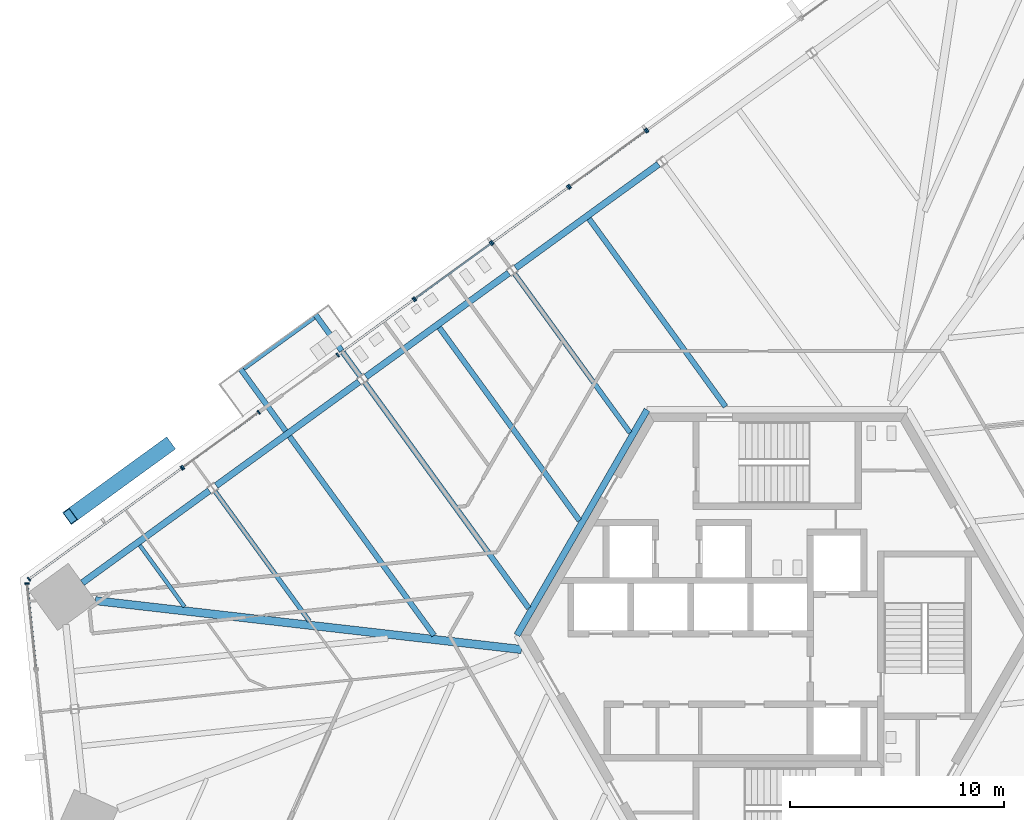
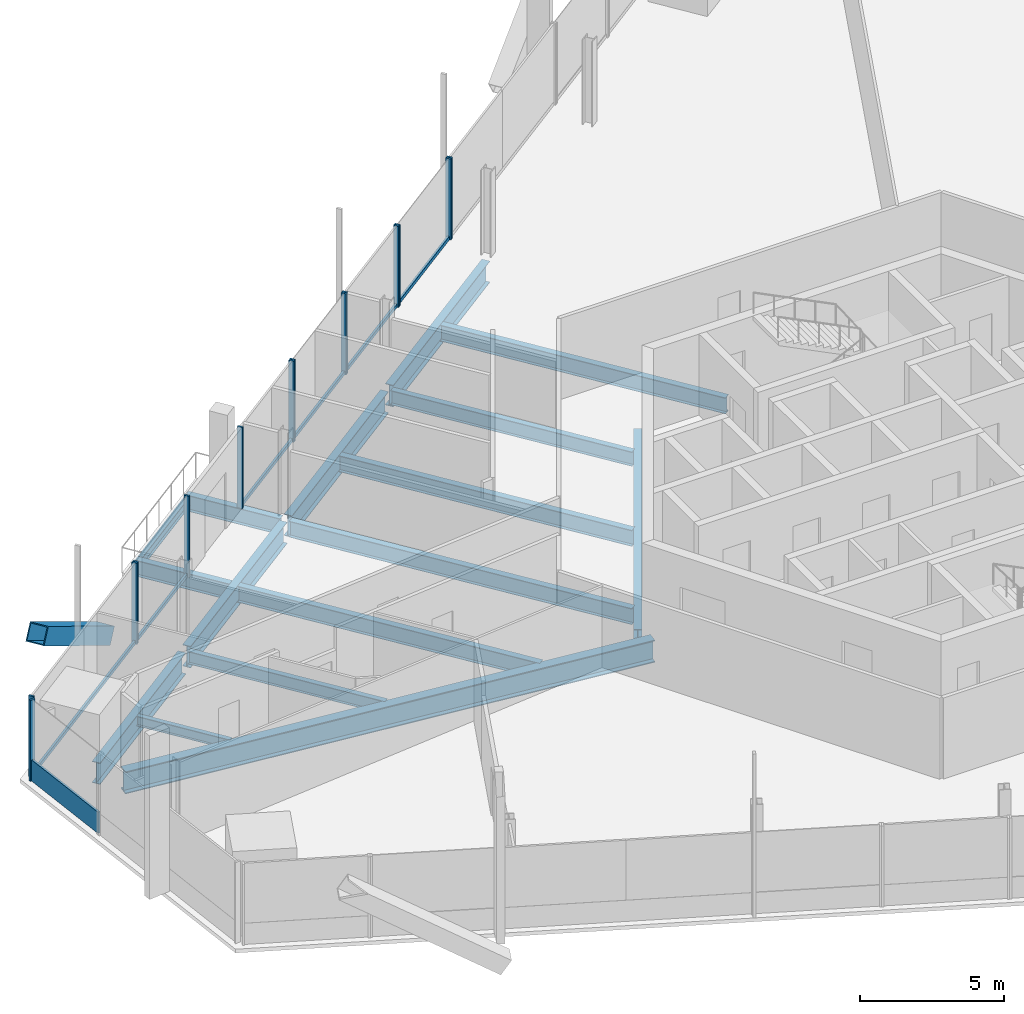
# One storey, part 6 of 21: 22 members, 16 beams, 8 elements without a shape of their own.
"""IFC4 building model written with IfcOpenShell, lengths in metres."""

from ifc_helpers import new_model, si_unit, direction, frame, origin, origin_2d, place, context, subcontext, project, spatial, rectangle, hollow_rectangle, i_section, extrude, source, transform, mapped, material, material_profile, profile_set, type_object, element, aggregate, save


model = new_model("IFC4")

# Units and contexts
model_context = context("Model", 3, precision=1e-05, world=origin(), true_north=direction((0.0, 1.0)))
body_context = subcontext(model_context, "Body", "Model", "MODEL_VIEW")
ifc_project = project(units=[si_unit("LENGTHUNIT", "METRE"), si_unit("AREAUNIT", "SQUARE_METRE"), si_unit("VOLUMEUNIT", "CUBIC_METRE"), si_unit("PLANEANGLEUNIT", "RADIAN"), si_unit("MASSUNIT", "GRAM", prefix="KILO")], contexts=[model_context])

# Site, building, storey
site_placement = place(None, origin())
site = spatial("IfcSite", under=ifc_project, at=site_placement, CompositionType="ELEMENT")
building_placement = place(site_placement, origin())
building = spatial("IfcBuilding", under=site, at=building_placement, Name="Triune Harvest Tower", CompositionType="ELEMENT")
storey_placement = place(building_placement, frame((0.0, 0.0, 87.300048828125)))
storey = spatial("IfcBuildingStorey", under=building, at=storey_placement, Name="L21", CompositionType="ELEMENT", Elevation=87.300048828125)

# Curtain wall, member
ifc_material_1 = material(Name="Aluminium bronze anodised", Category="aluminium")
curtain_wall_type_1 = type_object("IfcCurtainWallType", Name="CW-10 Balcony window wall with insulated spandrel infill", PredefinedType="NOTDEFINED", material=ifc_material_1)
curtain_wall_1_placement = place(storey_placement, origin())
curtain_wall_1 = element("IfcCurtainWall", 1, at=curtain_wall_1_placement, inside=storey, type_object=curtain_wall_type_1, Name="CW-10 B2-F3 L21 run 4001")
ifc_material_2 = material(Name="Aluminium bronze anodised", Category="aluminium")
ifc_material_profile_1 = material_profile(ifc_material_2, rectangle(XDim=0.090087890625, YDim=0.14990234375, at=origin_2d()), Name="TR-6 transom 90 x 150")
ifc_profile_set_1 = profile_set([ifc_material_profile_1], Name="Aluminium bronze anodised")
member_type_1 = type_object("IfcMemberType", Name="TR-6 transom 90 x 150", PredefinedType="USERDEFINED", material=ifc_profile_set_1)
member_1_placement = place(storey_placement, frame((-9.800537109375, 20.935546875, 0.074951171875), z_axis=(-0.809007003664, -0.587799003081, 0.0), x_axis=(0.587799003081, -0.809007003664, 0.0)))
member_1 = element("IfcMember", 2, at=member_1_placement, type_object=member_type_1, Name="CW-10 transom B2-F3 4001.1", ObjectType="TRANSOM", PredefinedType="USERDEFINED", context=body_context, shape_type="SweptSolid", body=[
    extrude(rectangle(XDim=0.090087890625, YDim=0.14990234375, at=origin_2d()), origin(), (0.0, 0.0, 1.0), 4.32421875),
])

ifc_material_3 = material(Name="Aluminium bronze anodised", Category="aluminium")
curtain_wall_type_2 = type_object("IfcCurtainWallType", Name="CW-6 Balcony window wall", PredefinedType="NOTDEFINED", material=ifc_material_3)
curtain_wall_2_placement = place(storey_placement, origin())
curtain_wall_2 = element("IfcCurtainWall", 3, at=curtain_wall_2_placement, inside=storey, type_object=curtain_wall_type_2, Name="CW-6 B2-F3 L21 run 2")
member_2_placement = place(storey_placement, frame((-24.288818359375, 10.4091796875, 0.074951171875), z_axis=(-0.809005729652, -0.587800756541, 0.0), x_axis=(0.587800756541, -0.809005729652, 0.0)))
member_2 = element("IfcMember", 4, at=member_2_placement, type_object=member_type_1, Name="CW-6 transom B2-F3 2.1", ObjectType="TRANSOM", PredefinedType="USERDEFINED", context=body_context, shape_type="SweptSolid", body=[
    extrude(rectangle(XDim=0.090087890625, YDim=0.14990234375, at=origin_2d()), origin(), (0.0, 0.0, 1.0), 4.305419921875),
])

curtain_wall_3_placement = place(storey_placement, origin())
curtain_wall_3 = element("IfcCurtainWall", 5, at=curtain_wall_3_placement, inside=storey, type_object=curtain_wall_type_1, Name="CW-10 B2-F3 L21 run 1002")
member_3_placement = place(storey_placement, frame((-27.893310546875, 7.790283203125, 0.074951171875), z_axis=(-0.809016764771, -0.587785568315, 0.0), x_axis=(0.587785568315, -0.809016764771, 0.0)))
member_3 = element("IfcMember", 6, at=member_3_placement, type_object=member_type_1, Name="CW-10 transom B2-F3 1002.1", ObjectType="TRANSOM", PredefinedType="USERDEFINED", context=body_context, shape_type="SweptSolid", body=[
    extrude(rectangle(XDim=0.090087890625, YDim=0.14990234375, at=origin_2d()), origin(), (0.0, 0.0, 1.0), 8.76123046875),
])

# Beams
ifc_material_4 = material(Name="Steel ASTM A992 Gr 50", Category="steel")
ifc_material_profile_2 = material_profile(ifc_material_4, i_section(OverallWidth=0.3046875, OverallDepth=0.914306640625, WebThickness=0.0166015625, FlangeThickness=0.02587890625, at=origin_2d()), Name="W36x160")
ifc_profile_set_2 = profile_set([ifc_material_profile_2], Name="Steel ASTM A992 Gr 50")
beam_type_1 = type_object("IfcBeamType", Name="CG-1 Core ring girder W36x160", PredefinedType="BEAM", material=ifc_profile_set_2)
shared_shape_1 = source(origin(), body_context, "Body", "SweptSolid", [
    extrude(i_section(OverallWidth=0.3046875, OverallDepth=0.914306640625, WebThickness=0.0166015625, FlangeThickness=0.02587890625, at=origin_2d()), origin(), (0.0, 0.0, 1.0), 12.176025390625),
])
beam_1_placement = place(storey_placement, frame((-6.087890625, 10.544677734375, -0.6171875), z_axis=(-0.5000099932, -0.866019634131, 0.0), x_axis=(0.866019634131, -0.5000099932, 0.0)))
element("IfcBeam", 7, at=beam_1_placement, inside=storey, type_object=beam_type_1, Name="beam/L21/CG3", PredefinedType="BEAM", context=body_context, shape_type="MappedRepresentation", body=[
    mapped(shared_shape_1, transform((0.0, 0.0, 0.0), scale=1.0)),
])
ifc_material_5 = material(Name="Steel ASTM A992 Gr 50", Category="steel")
ifc_material_profile_3 = material_profile(ifc_material_5, i_section(OverallWidth=0.3046875, OverallDepth=0.914306640625, WebThickness=0.0166015625, FlangeThickness=0.02587890625, at=origin_2d()), Name="W36x160")
ifc_profile_set_3 = profile_set([ifc_material_profile_3], Name="Steel ASTM A992 Gr 50")
beam_type_2 = type_object("IfcBeamType", Name="SB-1 Spandrel beam W36x160", PredefinedType="SPANDREL", material=ifc_profile_set_3)
shared_shape_2 = source(origin(), body_context, "Body", "SweptSolid", [
    extrude(i_section(OverallWidth=0.3046875, OverallDepth=0.914306640625, WebThickness=0.0166015625, FlangeThickness=0.02587890625, at=origin_2d()), origin(), (0.0, 0.0, 1.0), 7.337890625),
])
beam_2_placement = place(storey_placement, frame((-26.574951171875, 6.763916015625, -0.6171875), z_axis=(-0.80902661548, -0.58777200975, 0.0), x_axis=(0.58777200975, -0.80902661548, 0.0)))
element("IfcBeam", 8, at=beam_2_placement, inside=storey, type_object=beam_type_2, Name="beam/L21/SB14", PredefinedType="SPANDREL", context=body_context, shape_type="MappedRepresentation", body=[
    mapped(shared_shape_2, transform((0.0, 0.0, 0.0), scale=1.0)),
])
shared_shape_3 = source(origin(), body_context, "Body", "SweptSolid", [
    extrude(i_section(OverallWidth=0.3046875, OverallDepth=0.914306640625, WebThickness=0.0166015625, FlangeThickness=0.02587890625, at=origin_2d()), origin(), (0.0, 0.0, 1.0), 8.263427734375),
])
for number, where, z_axis, x_axis, name in (
    (9, (-5.55126953125, 22.03857421875, -0.6171875), (-0.809015786763, -0.587786914424, 0.0), (0.587786914424, -0.809015786763, 0.0), "beam/L21/SB11"),
    (10, (-12.55908203125, 16.947021484375, -0.6171875), (-0.809015786763, -0.587786914424, 0.0), (0.587786914424, -0.809015786763, 0.0), "beam/L21/SB12"),
    (11, (-19.56689453125, 11.85546875, -0.6171875), (-0.809015786763, -0.587786914424, 0.0), (0.587786914424, -0.809015786763, 0.0), "beam/L21/SB13"),
):
    element("IfcBeam", number, at=place(storey_placement, frame(where, z_axis=z_axis, x_axis=x_axis)), inside=storey, type_object=beam_type_2, Name=name, PredefinedType="SPANDREL", context=body_context, shape_type="MappedRepresentation", body=[
        mapped(shared_shape_3, transform((0.0, 0.0, 0.0), scale=1.0)),
    ])
ifc_material_6 = material(Name="Steel ASTM A992 Gr 50", Category="steel")
ifc_material_profile_4 = material_profile(ifc_material_6, i_section(OverallWidth=0.383544921875, OverallDepth=0.9423828125, WebThickness=0.022216796875, FlangeThickness=0.039794921875, at=origin_2d()), Name="W36x232")
ifc_profile_set_4 = profile_set([ifc_material_profile_4], Name="Steel ASTM A992 Gr 50")
beam_type_3 = type_object("IfcBeamType", Name="HG-1 Hip girder W36x232", PredefinedType="BEAM", material=ifc_profile_set_4)
shared_shape_4 = source(origin(), body_context, "Body", "SweptSolid", [
    extrude(i_section(OverallWidth=0.383544921875, OverallDepth=0.9423828125, WebThickness=0.022216796875, FlangeThickness=0.039794921875, at=origin_2d()), origin(), (0.0, 0.0, 1.0), 20.070556640625),
])
beam_3_placement = place(storey_placement, frame((-31.904541015625, 1.61572265625, -0.63134765625), z_axis=(0.993487545287, -0.113940762503, 0.0), x_axis=(0.113940762503, 0.993487545287, 0.0)))
element("IfcBeam", 12, at=beam_3_placement, inside=storey, type_object=beam_type_3, Name="beam/L21/HG5", PredefinedType="BEAM", context=body_context, shape_type="MappedRepresentation", body=[
    mapped(shared_shape_4, transform((0.0, 0.0, 0.0), scale=1.0)),
])
ifc_material_7 = material(Name="Steel ASTM A992 Gr 50", Category="steel")
ifc_material_profile_5 = material_profile(ifc_material_7, i_section(OverallWidth=0.22900390625, OverallDepth=0.612060546875, WebThickness=0.011962890625, FlangeThickness=0.01953125, at=origin_2d()), Name="W24x84")
ifc_profile_set_5 = profile_set([ifc_material_profile_5], Name="Steel ASTM A992 Gr 50")
beam_type_4 = type_object("IfcBeamType", Name="JT-3 Floor joist W24x84", PredefinedType="JOIST", material=ifc_profile_set_5)
shared_shape_5 = source(origin(), body_context, "Body", "SweptSolid", [
    extrude(i_section(OverallWidth=0.22900390625, OverallDepth=0.612060546875, WebThickness=0.011962890625, FlangeThickness=0.01953125, at=origin_2d()), origin(), (0.0, 0.0, 1.0), 9.186279296875),
])
beam_4_placement = place(storey_placement, frame((-12.2822265625, 16.905029296875, -0.466064453125), z_axis=(0.58779079947, -0.809012964085, 0.0), x_axis=(0.809012964085, 0.58779079947, 0.0)))
element("IfcBeam", 13, at=beam_4_placement, inside=storey, type_object=beam_type_4, Name="beam/L21/JT19", PredefinedType="JOIST", context=body_context, shape_type="MappedRepresentation", body=[
    mapped(shared_shape_5, transform((0.0, 0.0, 0.0), scale=1.0)),
])
ifc_material_8 = material(Name="Steel ASTM A992 Gr 50", Category="steel")
ifc_material_profile_6 = material_profile(ifc_material_8, i_section(OverallWidth=0.253662109375, OverallDepth=0.683349609375, WebThickness=0.012451171875, FlangeThickness=0.01904296875, at=origin_2d()), Name="W27x94")
ifc_profile_set_6 = profile_set([ifc_material_profile_6], Name="Steel ASTM A992 Gr 50")
beam_type_5 = type_object("IfcBeamType", Name="JT-4 Floor joist W27x94", PredefinedType="JOIST", material=ifc_profile_set_6)
shared_shape_6 = source(origin(), body_context, "Body", "SweptSolid", [
    extrude(i_section(OverallWidth=0.253662109375, OverallDepth=0.683349609375, WebThickness=0.012451171875, FlangeThickness=0.01904296875, at=origin_2d()), origin(), (0.0, 0.0, 1.0), 11.158935546875),
])
beam_5_placement = place(storey_placement, frame((-15.812255859375, 14.395263671875, -0.501708984375), z_axis=(0.58778396925, -0.809017926558, 0.0), x_axis=(0.809017926558, 0.58778396925, 0.0)))
element("IfcBeam", 14, at=beam_5_placement, inside=storey, type_object=beam_type_5, Name="beam/L21/JT20", PredefinedType="JOIST", context=body_context, shape_type="MappedRepresentation", body=[
    mapped(shared_shape_6, transform((0.0, 0.0, 0.0), scale=1.0)),
])
shared_shape_7 = source(origin(), body_context, "Body", "SweptSolid", [
    extrude(i_section(OverallWidth=0.253662109375, OverallDepth=0.683349609375, WebThickness=0.012451171875, FlangeThickness=0.01904296875, at=origin_2d()), origin(), (0.0, 0.0, 1.0), 10.86474609375),
])
beam_6_placement = place(storey_placement, frame((-8.804443359375, 19.48681640625, -0.501708984375), z_axis=(0.587789508047, -0.809013902371, 0.0), x_axis=(0.809013902371, 0.587789508047, 0.0)))
element("IfcBeam", 15, at=beam_6_placement, inside=storey, type_object=beam_type_5, Name="beam/L21/JT18", PredefinedType="JOIST", context=body_context, shape_type="MappedRepresentation", body=[
    mapped(shared_shape_7, transform((0.0, 0.0, 0.0), scale=1.0)),
])
shared_shape_8 = source(origin(), body_context, "Body", "SweptSolid", [
    extrude(i_section(OverallWidth=0.253662109375, OverallDepth=0.683349609375, WebThickness=0.012451171875, FlangeThickness=0.01904296875, at=origin_2d()), origin(), (0.0, 0.0, 1.0), 13.042724609375),
])
beam_7_placement = place(storey_placement, frame((-19.2900390625, 11.8134765625, -0.501708984375), z_axis=(0.587795444635, -0.809009589107, 0.0), x_axis=(0.809009589107, 0.587795444635, 0.0)))
element("IfcBeam", 16, at=beam_7_placement, inside=storey, type_object=beam_type_5, Name="beam/L21/JT21", PredefinedType="JOIST", context=body_context, shape_type="MappedRepresentation", body=[
    mapped(shared_shape_8, transform((0.0, 0.0, 0.0), scale=1.0)),
])
shared_shape_9 = source(origin(), body_context, "Body", "SweptSolid", [
    extrude(i_section(OverallWidth=0.253662109375, OverallDepth=0.683349609375, WebThickness=0.012451171875, FlangeThickness=0.01904296875, at=origin_2d()), origin(), (0.0, 0.0, 1.0), 11.511474609375),
])
beam_8_placement = place(storey_placement, frame((-22.820068359375, 9.3037109375, -0.501708984375), z_axis=(0.587775656534, -0.809023966015, 0.0), x_axis=(0.809023966015, 0.587775656534, 0.0)))
element("IfcBeam", 17, at=beam_8_placement, inside=storey, type_object=beam_type_5, Name="beam/L21/JT22", PredefinedType="JOIST", context=body_context, shape_type="MappedRepresentation", body=[
    mapped(shared_shape_9, transform((0.0, 0.0, 0.0), scale=1.0)),
])
ifc_material_9 = material(Name="Steel ASTM A992 Gr 50", Category="steel")
ifc_material_profile_7 = material_profile(ifc_material_9, i_section(OverallWidth=0.2099609375, OverallDepth=0.535888671875, WebThickness=0.010986328125, FlangeThickness=0.017333984375, at=origin_2d()), Name="W21x68")
ifc_profile_set_7 = profile_set([ifc_material_profile_7], Name="Steel ASTM A992 Gr 50")
beam_type_6 = type_object("IfcBeamType", Name="JT-2 Floor joist W21x68", PredefinedType="JOIST", material=ifc_profile_set_7)
shared_shape_10 = source(origin(), body_context, "Body", "SweptSolid", [
    extrude(i_section(OverallWidth=0.2099609375, OverallDepth=0.535888671875, WebThickness=0.010986328125, FlangeThickness=0.017333984375, at=origin_2d()), origin(), (0.0, 0.0, 1.0), 7.4921875),
])
beam_9_placement = place(storey_placement, frame((-26.2978515625, 6.721923828125, -0.427978515625), z_axis=(0.587787996274, -0.809015000748, 0.0), x_axis=(0.809015000748, 0.587787996274, 0.0)))
element("IfcBeam", 18, at=beam_9_placement, inside=storey, type_object=beam_type_6, Name="beam/L21/JT23", PredefinedType="JOIST", context=body_context, shape_type="MappedRepresentation", body=[
    mapped(shared_shape_10, transform((0.0, 0.0, 0.0), scale=1.0)),
])
ifc_material_10 = material(Name="Steel ASTM A992 Gr 50", Category="steel")
ifc_material_profile_8 = material_profile(ifc_material_10, i_section(OverallWidth=0.180908203125, OverallDepth=0.41650390625, WebThickness=0.010986328125, FlangeThickness=0.01806640625, at=origin_2d()), Name="W16x57")
ifc_profile_set_8 = profile_set([ifc_material_profile_8], Name="Steel ASTM A992 Gr 50")
beam_type_7 = type_object("IfcBeamType", Name="JT-1 Floor joist W16x57", PredefinedType="JOIST", material=ifc_profile_set_8)
shared_shape_11 = source(origin(), body_context, "Body", "SweptSolid", [
    extrude(i_section(OverallWidth=0.180908203125, OverallDepth=0.41650390625, WebThickness=0.010986328125, FlangeThickness=0.01806640625, at=origin_2d()), origin(), (0.0, 0.0, 1.0), 3.561767578125),
])
beam_10_placement = place(storey_placement, frame((-29.827880859375, 4.212158203125, -0.368408203125), z_axis=(0.587768138852, -0.80902942774, 0.0), x_axis=(0.80902942774, 0.587768138852, 0.0)))
element("IfcBeam", 19, at=beam_10_placement, inside=storey, type_object=beam_type_7, Name="beam/L21/JT24", PredefinedType="JOIST", context=body_context, shape_type="MappedRepresentation", body=[
    mapped(shared_shape_11, transform((0.0, 0.0, 0.0), scale=1.0)),
])

# Member
ifc_material_11 = material(Name="Steel ASTM A572 Gr 50", Category="steel")
ifc_material_profile_9 = material_profile(ifc_material_11, hollow_rectangle(XDim=0.699951171875, YDim=0.699951171875, WallThickness=0.0400390625, at=origin_2d()), Name="Box 700x700x40")
ifc_profile_set_9 = profile_set([ifc_material_profile_9], Name="Steel ASTM A572 Gr 50")
member_type_2 = type_object("IfcMemberType", Name="BR-1 Brace Box 700x700x40", PredefinedType="BRACE", material=ifc_profile_set_9)
shared_shape_12 = source(origin(), body_context, "Body", "SweptSolid", [
    extrude(hollow_rectangle(XDim=0.699951171875, YDim=0.699951171875, WallThickness=0.0400390625, at=origin_2d()), origin(), (0.0, 0.0, 1.0), 6.7021484375),
])
member_4_placement = place(storey_placement, frame((-28.510986328125, 8.88671875, 0.0), z_axis=(-0.682416282299, -0.495802712628, 0.537110498692), x_axis=(0.587783903514, -0.809017974318, 0.0)))
element("IfcMember", 20, at=member_4_placement, inside=storey, type_object=member_type_2, Name="brace/B2-F3/d1/9", PredefinedType="BRACE", context=body_context, shape_type="MappedRepresentation", body=[
    mapped(shared_shape_12, transform((0.0, 0.0, 0.0), scale=1.0)),
])

# Curtain wall, member
ifc_material_12 = material(Name="Aluminium bronze anodised", Category="aluminium")
curtain_wall_type_3 = type_object("IfcCurtainWallType", Name="CW-1 Tower stick curtain wall", PredefinedType="NOTDEFINED", material=ifc_material_12)
curtain_wall_4_placement = place(storey_placement, origin())
curtain_wall_4 = element("IfcCurtainWall", 21, at=curtain_wall_4_placement, inside=storey, type_object=curtain_wall_type_3, Name="CW-1 B2-F4 L21 run 1")
ifc_material_13 = material(Name="Aluminium bronze anodised", Category="aluminium")
ifc_material_profile_10 = material_profile(ifc_material_13, rectangle(XDim=0.199951171875, YDim=0.074951171875, at=origin_2d()), Name="MU-1 mullion 75 x 200")
ifc_profile_set_10 = profile_set([ifc_material_profile_10], Name="Aluminium bronze anodised")
member_type_3 = type_object("IfcMemberType", Name="MU-1 mullion 75 x 200", PredefinedType="MULLION", material=ifc_profile_set_10)
shared_shape_13 = source(origin(), body_context, "Body", "SweptSolid", [
    extrude(rectangle(XDim=0.199951171875, YDim=0.074951171875, at=origin_2d()), origin(), (0.0, 0.0, 1.0), 3.43994140625),
])
member_5_placement = place(storey_placement, frame((-35.1015625, 2.416748046875, 0.0), z_axis=(0.0, 0.0, 1.0), x_axis=(0.994521759788, 0.104529753221, 0.0)))
member_5 = element("IfcMember", 22, at=member_5_placement, type_object=member_type_3, Name="CW-1 mullion B2-F4 1.1", PredefinedType="MULLION", context=body_context, shape_type="MappedRepresentation", body=[
    mapped(shared_shape_13, transform((0.0, 0.0, 0.0), scale=1.0)),
])

curtain_wall_5_placement = place(storey_placement, origin())
curtain_wall_5 = element("IfcCurtainWall", 23, at=curtain_wall_5_placement, inside=storey, type_object=curtain_wall_type_1, Name="CW-10 B2-F3 L21 run 2001")
ifc_material_14 = material(Name="Aluminium bronze anodised", Category="aluminium")
ifc_material_profile_11 = material_profile(ifc_material_14, rectangle(XDim=0.199951171875, YDim=0.074951171875, at=origin_2d()), Name="MU-6 mullion 75 x 200")
ifc_profile_set_11 = profile_set([ifc_material_profile_11], Name="Aluminium bronze anodised")
member_type_4 = type_object("IfcMemberType", Name="MU-6 mullion 75 x 200", PredefinedType="MULLION", material=ifc_profile_set_11)
shared_shape_14 = source(origin(), body_context, "Body", "SweptSolid", [
    extrude(rectangle(XDim=0.199951171875, YDim=0.074951171875, at=origin_2d()), origin(), (0.0, 0.0, 1.0), 3.43994140625),
])
member_6_placement = place(storey_placement, frame((-6.089599609375, 23.631591796875, 0.0), z_axis=(0.0, 0.0, 1.0), x_axis=(0.587786913623, -0.809015787345, 0.0)))
member_6 = element("IfcMember", 24, at=member_6_placement, type_object=member_type_4, Name="CW-10 mullion B2-F3 2001.3", PredefinedType="MULLION", context=body_context, shape_type="MappedRepresentation", body=[
    mapped(shared_shape_14, transform((0.0, 0.0, 0.0), scale=1.0)),
])
aggregate(curtain_wall_5, [member_6])

# Curtain wall, members
curtain_wall_6_placement = place(storey_placement, origin())
curtain_wall_6 = element("IfcCurtainWall", 25, at=curtain_wall_6_placement, inside=storey, type_object=curtain_wall_type_2, Name="CW-6 B2-F3 L21 run 3001")
member_7_placement = place(storey_placement, frame((-6.150390625, 23.58740234375, 0.0), z_axis=(0.0, 0.0, 1.0), x_axis=(0.58777959953, -0.809021101317, 0.0)))
member_7 = element("IfcMember", 26, at=member_7_placement, type_object=member_type_4, Name="CW-6 mullion B2-F3 3001.1", PredefinedType="MULLION", context=body_context, shape_type="MappedRepresentation", body=[
    mapped(shared_shape_14, transform((0.0, 0.0, 0.0), scale=1.0)),
])
member_8_placement = place(storey_placement, frame((-9.70947265625, 21.001708984375, 0.0), z_axis=(0.0, 0.0, 1.0), x_axis=(0.58777959953, -0.809021101317, 0.0)))
member_8 = element("IfcMember", 27, at=member_8_placement, type_object=member_type_4, Name="CW-6 mullion B2-F3 3001.2", PredefinedType="MULLION", context=body_context, shape_type="MappedRepresentation", body=[
    mapped(shared_shape_14, transform((0.0, 0.0, 0.0), scale=1.0)),
])

# Member
member_9_placement = place(storey_placement, frame((-9.77001953125, 20.95751953125, 0.0), z_axis=(0.0, 0.0, 1.0), x_axis=(0.58777959953, -0.809021101317, 0.0)))
member_9 = element("IfcMember", 28, at=member_9_placement, type_object=member_type_4, Name="CW-10 mullion B2-F3 4001.1", PredefinedType="MULLION", context=body_context, shape_type="MappedRepresentation", body=[
    mapped(shared_shape_14, transform((0.0, 0.0, 0.0), scale=1.0)),
])

member_10_placement = place(storey_placement, frame((-13.329345703125, 18.371826171875, 0.0), z_axis=(0.0, 0.0, 1.0), x_axis=(0.58777959953, -0.809021101317, 0.0)))
member_10 = element("IfcMember", 29, at=member_10_placement, type_object=member_type_4, Name="CW-10 mullion B2-F3 4001.2", PredefinedType="MULLION", context=body_context, shape_type="MappedRepresentation", body=[
    mapped(shared_shape_14, transform((0.0, 0.0, 0.0), scale=1.0)),
])

aggregate(curtain_wall_1, [member_9, member_10, member_1])

# Curtain wall, members
curtain_wall_7_placement = place(storey_placement, origin())
curtain_wall_7 = element("IfcCurtainWall", 30, at=curtain_wall_7_placement, inside=storey, type_object=curtain_wall_type_2, Name="CW-6 B2-F3 L21 run 5001")
member_11_placement = place(storey_placement, frame((-13.389892578125, 18.32763671875, 0.0), z_axis=(0.0, 0.0, 1.0), x_axis=(0.58779422757, -0.809010473378, 0.0)))
member_11 = element("IfcMember", 31, at=member_11_placement, type_object=member_type_4, Name="CW-6 mullion B2-F3 5001.1", PredefinedType="MULLION", context=body_context, shape_type="MappedRepresentation", body=[
    mapped(shared_shape_14, transform((0.0, 0.0, 0.0), scale=1.0)),
])
member_12_placement = place(storey_placement, frame((-16.948974609375, 15.74169921875, 0.0), z_axis=(0.0, 0.0, 1.0), x_axis=(0.58779422757, -0.809010473378, 0.0)))
member_12 = element("IfcMember", 32, at=member_12_placement, type_object=member_type_4, Name="CW-6 mullion B2-F3 5001.2", PredefinedType="MULLION", context=body_context, shape_type="MappedRepresentation", body=[
    mapped(shared_shape_14, transform((0.0, 0.0, 0.0), scale=1.0)),
])

curtain_wall_8_placement = place(storey_placement, origin())
curtain_wall_8 = element("IfcCurtainWall", 33, at=curtain_wall_8_placement, inside=storey, type_object=curtain_wall_type_1, Name="CW-10 B2-F3 L21 run 6001")
member_13_placement = place(storey_placement, frame((-17.009765625, 15.69775390625, 0.0), z_axis=(0.0, 0.0, 1.0), x_axis=(0.58777959953, -0.809021101317, 0.0)))
member_13 = element("IfcMember", 34, at=member_13_placement, type_object=member_type_4, Name="CW-10 mullion B2-F3 6001.1", PredefinedType="MULLION", context=body_context, shape_type="MappedRepresentation", body=[
    mapped(shared_shape_14, transform((0.0, 0.0, 0.0), scale=1.0)),
])
member_14_placement = place(storey_placement, frame((-20.56884765625, 13.11181640625, 0.0), z_axis=(0.0, 0.0, 1.0), x_axis=(0.58777959953, -0.809021101317, 0.0)))
member_14 = element("IfcMember", 35, at=member_14_placement, type_object=member_type_4, Name="CW-10 mullion B2-F3 6001.2", PredefinedType="MULLION", context=body_context, shape_type="MappedRepresentation", body=[
    mapped(shared_shape_14, transform((0.0, 0.0, 0.0), scale=1.0)),
])

# Member
member_15_placement = place(storey_placement, frame((-24.258544921875, 10.43115234375, 0.0), z_axis=(0.0, 0.0, 1.0), x_axis=(0.587793302731, -0.809011145328, 0.0)))
member_15 = element("IfcMember", 36, at=member_15_placement, type_object=member_type_4, Name="CW-6 mullion B2-F3 2.1", PredefinedType="MULLION", context=body_context, shape_type="MappedRepresentation", body=[
    mapped(shared_shape_14, transform((0.0, 0.0, 0.0), scale=1.0)),
])

member_16_placement = place(storey_placement, frame((-27.80224609375, 7.8564453125, 0.0), z_axis=(0.0, 0.0, 1.0), x_axis=(0.587793302731, -0.809011145328, 0.0)))
member_16 = element("IfcMember", 37, at=member_16_placement, type_object=member_type_4, Name="CW-6 mullion B2-F3 2.2", PredefinedType="MULLION", context=body_context, shape_type="MappedRepresentation", body=[
    mapped(shared_shape_14, transform((0.0, 0.0, 0.0), scale=1.0)),
])

aggregate(curtain_wall_2, [member_15, member_16, member_2])

member_17_placement = place(storey_placement, frame((-27.863037109375, 7.812255859375, 0.0), z_axis=(0.0, 0.0, 1.0), x_axis=(0.587781187685, -0.80901994747, 0.0)))
member_17 = element("IfcMember", 38, at=member_17_placement, type_object=member_type_4, Name="CW-10 mullion B2-F3 1002.1", PredefinedType="MULLION", context=body_context, shape_type="MappedRepresentation", body=[
    mapped(shared_shape_14, transform((0.0, 0.0, 0.0), scale=1.0)),
])

member_18_placement = place(storey_placement, frame((-35.01171875, 2.61865234375, 0.0), z_axis=(0.0, 0.0, 1.0), x_axis=(0.587781187685, -0.80901994747, 0.0)))
member_18 = element("IfcMember", 39, at=member_18_placement, type_object=member_type_4, Name="CW-10 mullion B2-F3 1002.3", PredefinedType="MULLION", context=body_context, shape_type="MappedRepresentation", body=[
    mapped(shared_shape_14, transform((0.0, 0.0, 0.0), scale=1.0)),
])

aggregate(curtain_wall_3, [member_17, member_18, member_3])

# Beams
ifc_material_15 = material(Name="Steel ASTM A992 Gr 50", Category="steel")
ifc_material_profile_12 = material_profile(ifc_material_15, i_section(OverallWidth=0.253662109375, OverallDepth=0.683349609375, WebThickness=0.012451171875, FlangeThickness=0.01904296875, at=origin_2d()), Name="W27x94")
ifc_profile_set_12 = profile_set([ifc_material_profile_12], Name="Steel ASTM A992 Gr 50")
beam_type_8 = type_object("IfcBeamType", Name="BJ-4 Balcony cantilever joist W27x94", PredefinedType="JOIST", material=ifc_profile_set_12)
shared_shape_15 = source(origin(), body_context, "Body", "SweptSolid", [
    extrude(i_section(OverallWidth=0.253662109375, OverallDepth=0.683349609375, WebThickness=0.012451171875, FlangeThickness=0.01904296875, at=origin_2d()), origin(), (0.0, 0.0, 1.0), 3.597412109375),
])
for number, where, z_axis, x_axis, name in (
    (40, (-22.999267578125, 9.55029296875, -0.501708984375), (-0.587780211851, 0.809020656446, 0.0), (-0.809020656446, -0.587780211851, 0.0), "Balcony cantilever joist B2-F3 L21.9a"),
    (41, (-19.495361328125, 12.095947265625, -0.501708984375), (-0.587780211851, 0.809020656446, 0.0), (-0.809020656446, -0.587780211851, 0.0), "Balcony cantilever joist B2-F3 L21.9b"),
):
    element("IfcBeam", number, at=place(storey_placement, frame(where, z_axis=z_axis, x_axis=x_axis)), inside=storey, type_object=beam_type_8, Name=name, PredefinedType="JOIST", context=body_context, shape_type="MappedRepresentation", body=[
        mapped(shared_shape_15, transform((0.0, 0.0, 0.0), scale=1.0)),
    ])
ifc_material_16 = material(Name="Steel ASTM A992 Gr 50", Category="steel")
ifc_material_profile_13 = material_profile(ifc_material_16, i_section(OverallWidth=0.180908203125, OverallDepth=0.41650390625, WebThickness=0.010986328125, FlangeThickness=0.01806640625, at=origin_2d()), Name="W16x57")
ifc_profile_set_13 = profile_set([ifc_material_profile_13], Name="Steel ASTM A992 Gr 50")
beam_type_9 = type_object("IfcBeamType", Name="BE-1 balcony edge beam W16x57", PredefinedType="BEAM", material=ifc_profile_set_13)
shared_shape_16 = source(origin(), body_context, "Body", "SweptSolid", [
    extrude(i_section(OverallWidth=0.180908203125, OverallDepth=0.41650390625, WebThickness=0.010986328125, FlangeThickness=0.01806640625, at=origin_2d()), origin(), (0.0, 0.0, 1.0), 4.0771484375),
])
beam_11_placement = place(storey_placement, frame((-24.9580078125, 12.462158203125, -0.368408203125), z_axis=(0.809025994853, 0.587772863998, 0.0), x_axis=(-0.587772863998, 0.809025994853, 0.0)))
element("IfcBeam", 42, at=beam_11_placement, inside=storey, type_object=beam_type_9, Name="Balcony edge beam B2-F3 L21.9", PredefinedType="BEAM", context=body_context, shape_type="MappedRepresentation", body=[
    mapped(shared_shape_16, transform((0.0, 0.0, 0.0), scale=1.0)),
])

# Member
ifc_material_17 = material(Name="Aluminium bronze anodised", Category="aluminium")
ifc_material_profile_14 = material_profile(ifc_material_17, rectangle(XDim=0.090087890625, YDim=0.89990234375, at=origin_2d()), Name="TR-1 transom 90 x 900")
ifc_profile_set_14 = profile_set([ifc_material_profile_14], Name="Aluminium bronze anodised")
member_type_5 = type_object("IfcMemberType", Name="TR-1 transom 90 x 900", PredefinedType="USERDEFINED", material=ifc_profile_set_14)
shared_shape_17 = source(origin(), body_context, "Body", "SweptSolid", [
    extrude(rectangle(XDim=0.090087890625, YDim=0.89990234375, at=origin_2d()), origin(), (0.0, 0.0, 1.0), 3.92333984375),
])
member_19_placement = place(storey_placement, frame((-35.09765625, 2.37939453125, 0.449951171875), z_axis=(0.104542256818, -0.994520445511, 0.0), x_axis=(0.994520445511, 0.104542256818, 0.0)))
member_19 = element("IfcMember", 43, at=member_19_placement, type_object=member_type_5, Name="CW-1 transom B2-F4 1.1", ObjectType="TRANSOM", PredefinedType="USERDEFINED", context=body_context, shape_type="MappedRepresentation", body=[
    mapped(shared_shape_17, transform((0.0, 0.0, 0.0), scale=1.0)),
])

aggregate(curtain_wall_4, [member_5, member_19])

shared_shape_18 = source(origin(), body_context, "Body", "SweptSolid", [
    extrude(rectangle(XDim=0.090087890625, YDim=0.14990234375, at=origin_2d()), origin(), (0.0, 0.0, 1.0), 4.324462890625),
])
member_20_placement = place(storey_placement, frame((-6.1806640625, 23.5654296875, 0.074951171875), z_axis=(-0.809026509489, -0.587772155638, 0.0), x_axis=(0.587772155638, -0.809026509489, 0.0)))
member_20 = element("IfcMember", 44, at=member_20_placement, type_object=member_type_1, Name="CW-6 transom B2-F3 3001.1", ObjectType="TRANSOM", PredefinedType="USERDEFINED", context=body_context, shape_type="MappedRepresentation", body=[
    mapped(shared_shape_18, transform((0.0, 0.0, 0.0), scale=1.0)),
])

aggregate(curtain_wall_6, [member_7, member_8, member_20])

member_21_placement = place(storey_placement, frame((-13.420166015625, 18.3056640625, 0.074951171875), z_axis=(-0.808999662996, -0.587809106149, 0.0), x_axis=(0.587809106149, -0.808999662996, 0.0)))
member_21 = element("IfcMember", 45, at=member_21_placement, type_object=member_type_1, Name="CW-6 transom B2-F3 5001.1", ObjectType="TRANSOM", PredefinedType="USERDEFINED", context=body_context, shape_type="MappedRepresentation", body=[
    mapped(shared_shape_18, transform((0.0, 0.0, 0.0), scale=1.0)),
])

aggregate(curtain_wall_7, [member_11, member_12, member_21])

member_22_placement = place(storey_placement, frame((-17.0400390625, 15.675537109375, 0.074951171875), z_axis=(-0.809026509489, -0.587772155638, 0.0), x_axis=(0.587772155638, -0.809026509489, 0.0)))
member_22 = element("IfcMember", 46, at=member_22_placement, type_object=member_type_1, Name="CW-10 transom B2-F3 6001.1", ObjectType="TRANSOM", PredefinedType="USERDEFINED", context=body_context, shape_type="MappedRepresentation", body=[
    mapped(shared_shape_18, transform((0.0, 0.0, 0.0), scale=1.0)),
])

aggregate(curtain_wall_8, [member_13, member_14, member_22])

save(model, "model.ifc")
